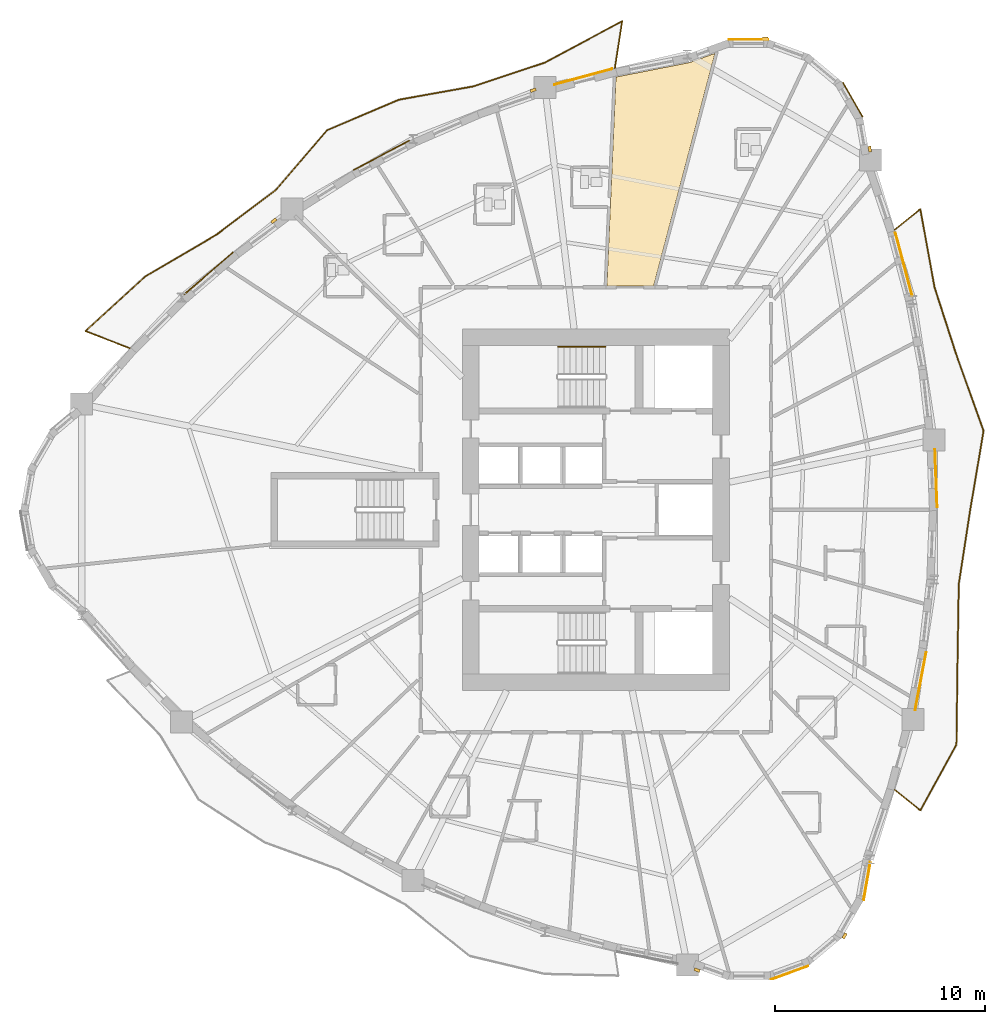
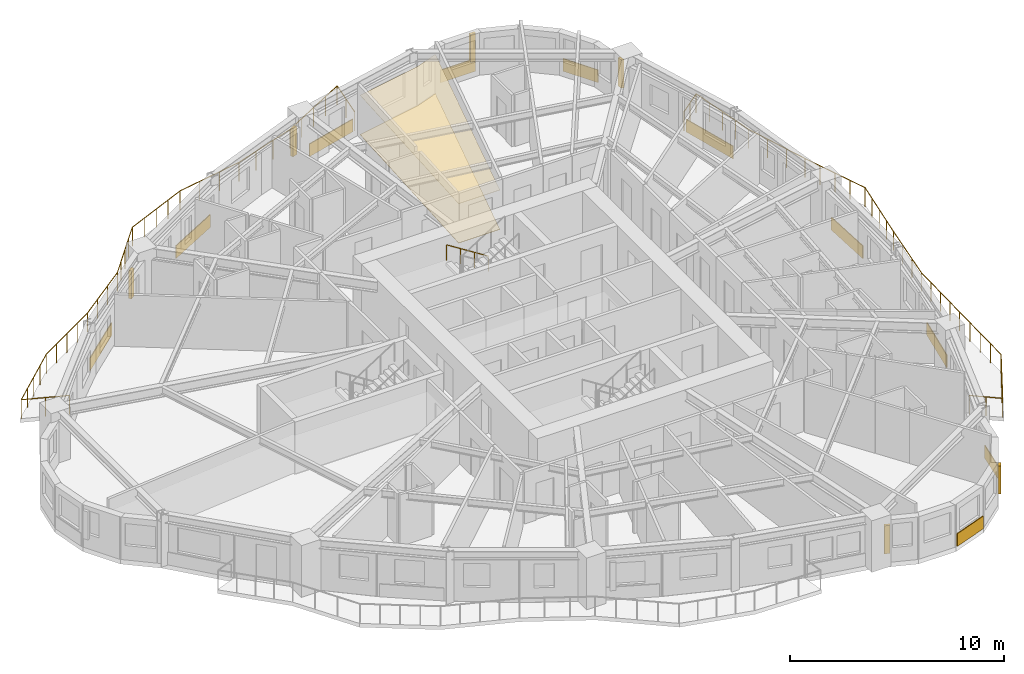
# One storey, part 13 of 14: 12 coverings, 6 shading devices, 3 railings.
"""IFC4 building model written with IfcOpenShell, lengths in metres."""

from ifc_helpers import new_model, si_unit, direction, frame, origin, origin_2d, place, context, subcontext, project, spatial, polyline, rectangle, circle, outline, extrude, source, transform, mapped, material, layer, layer_set, type_object, element, save


model = new_model("IFC4")

# Units and contexts
model_context = context("Model", 3, precision=1e-05, world=origin(), true_north=direction((0.0, 1.0)))
body_context = subcontext(model_context, "Body", "Model", "MODEL_VIEW")
ifc_project = project(units=[si_unit("LENGTHUNIT", "METRE"), si_unit("AREAUNIT", "SQUARE_METRE"), si_unit("VOLUMEUNIT", "CUBIC_METRE"), si_unit("PLANEANGLEUNIT", "RADIAN"), si_unit("MASSUNIT", "GRAM", prefix="KILO")], contexts=[model_context])

# Site, building, storey
site_placement = place(None, origin())
site = spatial("IfcSite", under=ifc_project, at=site_placement, CompositionType="ELEMENT")
building_placement = place(site_placement, origin())
building = spatial("IfcBuilding", under=site, at=building_placement, Name="Qafzar Sky-Pleat Residences", CompositionType="ELEMENT")
storey_placement = place(building_placement, frame((0.0, 0.0, 14.199951171875)))
storey = spatial("IfcBuildingStorey", under=building, at=storey_placement, Name="L03", CompositionType="ELEMENT", Elevation=14.199951171875)

# Coverings
ifc_material_1 = material(Name="Perforated acoustic gypsum board ceiling")
ifc_layer_1 = layer(ifc_material_1, 0.02001953125)
ifc_layer_set_1 = layer_set([ifc_layer_1], Name="Perforated acoustic gypsum board ceiling")
covering_type_1 = type_object("IfcCoveringType", Name="COV-CEIL-ACOUSTIC", PredefinedType="CEILING", material=ifc_layer_set_1)
covering_1_placement = place(storey_placement, frame((0.0, 0.0, 2.239990234375)))
element("IfcCovering", 1, at=covering_1_placement, inside=storey, type_object=covering_type_1, Name="L03 Communal Kitchen Acoustic Ceiling", PredefinedType="CEILING", context=body_context, shape_type="SweptSolid", body=[
    extrude(outline(polyline([(34.8076171875, 47.26416015625), (36.013427734375, 47.702880859375), (33.094970703125, 36.639892578125), (30.873291015625, 36.639892578125), (31.305419921875, 46.572998046875), (31.342041015625, 46.5830078125), (34.8076171875, 47.26416015625)])), origin(), (0.0, 0.0, 1.0), 0.02001953125),
])
ifc_material_2 = material(Name="Honed porcelain and Riyadh stone tile flooring", Category="masonry")
ifc_layer_2 = layer(ifc_material_2, 0.02001953125)
ifc_layer_set_2 = layer_set([ifc_layer_2], Name="Honed porcelain and Riyadh stone tile flooring")
covering_type_2 = type_object("IfcCoveringType", Name="COV-FLR-PORCELAIN", PredefinedType="FLOORING", material=ifc_layer_set_2)
covering_2_placement = place(storey_placement, origin())
element("IfcCovering", 2, at=covering_2_placement, inside=storey, type_object=covering_type_2, Name="L03 Communal Kitchen Honed Stone Flooring", PredefinedType="FLOORING", context=body_context, shape_type="SweptSolid", body=[
    extrude(outline(polyline([(34.8076171875, 47.26416015625), (36.013427734375, 47.702880859375), (33.094970703125, 36.639892578125), (30.873291015625, 36.639892578125), (31.305419921875, 46.572998046875), (31.342041015625, 46.5830078125), (34.8076171875, 47.26416015625)])), origin(), (0.0, 0.0, 1.0), 0.02001953125),
])

# Railings
ifc_material_3 = material(Name="Laminated glass and bronze steel balustrade", Category="steel")
railing_type_1 = type_object("IfcRailingType", Name="RAIL-BAL-1100", PredefinedType="BALUSTRADE", material=ifc_material_3)
shared_shape_1 = source(origin(), body_context, "Body", "SweptSolid", [
    extrude(circle(Radius=0.02392578125, at=origin_2d()), frame((0.0, 0.0, 1.076171875), z_axis=(0.779190452063, -0.626787236161, 0.0), x_axis=(0.626787236161, 0.779190452063, 0.0)), (0.0, 0.0, 1.0), 1.577880859375),
    extrude(circle(Radius=0.02392578125, at=origin_2d()), frame((1.2294921875, -0.989013671875, 1.076171875), z_axis=(0.481003643786, 0.876718594912, 0.0), x_axis=(-0.876718594912, 0.481003643786, 0.0)), (0.0, 0.0, 1.0), 3.5751953125),
    extrude(circle(Radius=0.02392578125, at=origin_2d()), frame((2.94921875, 2.1455078125, 1.076171875), z_axis=(0.012626033824, 0.999920288458, 0.0), x_axis=(-0.999920288458, 0.012626033824, 0.0)), (0.0, 0.0, 1.0), 3.9638671875),
    extrude(circle(Radius=0.02392578125, at=origin_2d()), frame((2.999267578125, 6.109130859375, 1.076171875), z_axis=(0.015856215298, 0.999874282316, 0.0), x_axis=(-0.999874282316, 0.015856215298, 0.0)), (0.0, 0.0, 1.0), 3.66455078125),
    extrude(circle(Radius=0.02392578125, at=origin_2d()), frame((3.057373046875, 9.773193359375, 1.076171875), z_axis=(0.152416048912, 0.988316421008, 0.0), x_axis=(-0.988316421008, 0.152416048912, 0.0)), (0.0, 0.0, 1.0), 3.578369140625),
    extrude(circle(Radius=0.02392578125, at=origin_2d()), frame((3.602783203125, 13.309814453125, 1.076171875), z_axis=(0.167094480842, 0.98594088792, 0.0), x_axis=(-0.98594088792, 0.167094480842, 0.0)), (0.0, 0.0, 1.0), 3.80322265625),
    extrude(circle(Radius=0.02392578125, at=origin_2d()), frame((4.23828125, 17.0595703125, 1.076171875), z_axis=(-0.33791768738, 0.941175667214, 0.0), x_axis=(-0.941175667214, -0.33791768738, 0.0)), (0.0, 0.0, 1.0), 3.66650390625),
    extrude(circle(Radius=0.02392578125, at=origin_2d()), frame((2.999267578125, 20.510498046875, 1.076171875), z_axis=(-0.308292175959, 0.951291718792, 0.0), x_axis=(-0.951291718792, -0.308292175959, 0.0)), (0.0, 0.0, 1.0), 3.539794921875),
    extrude(circle(Radius=0.02392578125, at=origin_2d()), frame((1.907958984375, 23.8779296875, 1.076171875), z_axis=(-0.178925099034, 0.983862698213, 0.0), x_axis=(-0.983862698213, -0.178925099034, 0.0)), (0.0, 0.0, 1.0), 3.7919921875),
    extrude(circle(Radius=0.02392578125, at=origin_2d()), frame((1.2294921875, 27.608642578125, 1.076171875), z_axis=(-0.779190452063, -0.626787236161, 0.0), x_axis=(0.626787236161, -0.779190452063, 0.0)), (0.0, 0.0, 1.0), 1.577880859375),
    extrude(circle(Radius=0.02099609375, at=origin_2d()), origin(), (0.0, 0.0, 1.0), 1.052001953125),
    extrude(circle(Radius=0.02099609375, at=origin_2d()), frame((0.61474609375, -0.49462890625, 0.0)), (0.0, 0.0, 1.0), 1.052001953125),
    extrude(circle(Radius=0.02099609375, at=origin_2d()), frame((1.2294921875, -0.989013671875, 0.0)), (0.0, 0.0, 1.0), 1.052001953125),
    extrude(circle(Radius=0.02099609375, at=origin_2d()), frame((1.802734375, 0.055908203125, 0.0)), (0.0, 0.0, 1.0), 1.052001953125),
    extrude(circle(Radius=0.02099609375, at=origin_2d()), frame((2.3759765625, 1.1005859375, 0.0)), (0.0, 0.0, 1.0), 1.052001953125),
    extrude(circle(Radius=0.02099609375, at=origin_2d()), frame((2.94921875, 2.1455078125, 0.0)), (0.0, 0.0, 1.0), 1.052001953125),
    extrude(circle(Radius=0.02099609375, at=origin_2d()), frame((2.961669921875, 3.136474609375, 0.0)), (0.0, 0.0, 1.0), 1.052001953125),
    extrude(circle(Radius=0.02099609375, at=origin_2d()), frame((2.97412109375, 4.12744140625, 0.0)), (0.0, 0.0, 1.0), 1.052001953125),
    extrude(circle(Radius=0.02099609375, at=origin_2d()), frame((2.98681640625, 5.1181640625, 0.0)), (0.0, 0.0, 1.0), 1.052001953125),
    extrude(circle(Radius=0.02099609375, at=origin_2d()), frame((2.999267578125, 6.109130859375, 0.0)), (0.0, 0.0, 1.0), 1.052001953125),
    extrude(circle(Radius=0.02099609375, at=origin_2d()), frame((3.013671875, 7.025146484375, 0.0)), (0.0, 0.0, 1.0), 1.052001953125),
    extrude(circle(Radius=0.02099609375, at=origin_2d()), frame((3.0283203125, 7.941162109375, 0.0)), (0.0, 0.0, 1.0), 1.052001953125),
    extrude(circle(Radius=0.02099609375, at=origin_2d()), frame((3.04296875, 8.857177734375, 0.0)), (0.0, 0.0, 1.0), 1.052001953125),
    extrude(circle(Radius=0.02099609375, at=origin_2d()), frame((3.057373046875, 9.773193359375, 0.0)), (0.0, 0.0, 1.0), 1.052001953125),
    extrude(circle(Radius=0.02099609375, at=origin_2d()), frame((3.2392578125, 10.9521484375, 0.0)), (0.0, 0.0, 1.0), 1.052001953125),
    extrude(circle(Radius=0.02099609375, at=origin_2d()), frame((3.4208984375, 12.130859375, 0.0)), (0.0, 0.0, 1.0), 1.052001953125),
    extrude(circle(Radius=0.02099609375, at=origin_2d()), frame((3.602783203125, 13.309814453125, 0.0)), (0.0, 0.0, 1.0), 1.052001953125),
    extrude(circle(Radius=0.02099609375, at=origin_2d()), frame((3.76171875, 14.247314453125, 0.0)), (0.0, 0.0, 1.0), 1.052001953125),
    extrude(circle(Radius=0.02099609375, at=origin_2d()), frame((3.92041015625, 15.1845703125, 0.0)), (0.0, 0.0, 1.0), 1.052001953125),
    extrude(circle(Radius=0.02099609375, at=origin_2d()), frame((4.079345703125, 16.1220703125, 0.0)), (0.0, 0.0, 1.0), 1.052001953125),
    extrude(circle(Radius=0.02099609375, at=origin_2d()), frame((4.23828125, 17.0595703125, 0.0)), (0.0, 0.0, 1.0), 1.052001953125),
    extrude(circle(Radius=0.02099609375, at=origin_2d()), frame((3.928466796875, 17.92236328125, 0.0)), (0.0, 0.0, 1.0), 1.052001953125),
    extrude(circle(Radius=0.02099609375, at=origin_2d()), frame((3.61865234375, 18.78515625, 0.0)), (0.0, 0.0, 1.0), 1.052001953125),
    extrude(circle(Radius=0.02099609375, at=origin_2d()), frame((3.30908203125, 19.647705078125, 0.0)), (0.0, 0.0, 1.0), 1.052001953125),
    extrude(circle(Radius=0.02099609375, at=origin_2d()), frame((2.999267578125, 20.510498046875, 0.0)), (0.0, 0.0, 1.0), 1.052001953125),
    extrude(circle(Radius=0.02099609375, at=origin_2d()), frame((2.635498046875, 21.633056640625, 0.0)), (0.0, 0.0, 1.0), 1.052001953125),
    extrude(circle(Radius=0.02099609375, at=origin_2d()), frame((2.271728515625, 22.75537109375, 0.0)), (0.0, 0.0, 1.0), 1.052001953125),
    extrude(circle(Radius=0.02099609375, at=origin_2d()), frame((1.907958984375, 23.8779296875, 0.0)), (0.0, 0.0, 1.0), 1.052001953125),
    extrude(circle(Radius=0.02099609375, at=origin_2d()), frame((1.73828125, 24.810546875, 0.0)), (0.0, 0.0, 1.0), 1.052001953125),
    extrude(circle(Radius=0.02099609375, at=origin_2d()), frame((1.56884765625, 25.7431640625, 0.0)), (0.0, 0.0, 1.0), 1.052001953125),
    extrude(circle(Radius=0.02099609375, at=origin_2d()), frame((1.399169921875, 26.676025390625, 0.0)), (0.0, 0.0, 1.0), 1.052001953125),
    extrude(circle(Radius=0.02099609375, at=origin_2d()), frame((1.2294921875, 27.608642578125, 0.0)), (0.0, 0.0, 1.0), 1.052001953125),
    extrude(circle(Radius=0.02099609375, at=origin_2d()), frame((0.61474609375, 27.1142578125, 0.0)), (0.0, 0.0, 1.0), 1.052001953125),
    extrude(circle(Radius=0.02099609375, at=origin_2d()), frame((0.0, 26.61962890625, 0.0)), (0.0, 0.0, 1.0), 1.052001953125),
])
railing_1_placement = place(storey_placement, frame((44.546630859375, 12.690185546875, 0.0)))
element("IfcRailing", 3, at=railing_1_placement, inside=storey, type_object=railing_type_1, Name="L03 Pleated Balcony 1 Balustrade", PredefinedType="BALUSTRADE", context=body_context, shape_type="MappedRepresentation", body=[
    mapped(shared_shape_1, transform((0.0, 0.0, 0.0), x_axis=(1.0, 0.0, 0.0), y_axis=(0.0, 1.0, 0.0), z_axis=(0.0, 0.0, 1.0), scale=1.0)),
])
shared_shape_2 = source(origin(), body_context, "Body", "SweptSolid", [
    extrude(circle(Radius=0.02392578125, at=origin_2d()), frame((0.0, 0.0, 1.076171875), z_axis=(0.153196150484, 0.988195800172, 0.0), x_axis=(-0.988195800172, 0.153196150484, 0.0)), (0.0, 0.0, 1.0), 2.27099609375),
    extrude(circle(Radius=0.02392578125, at=origin_2d()), frame((0.347900390625, 2.244140625, 1.076171875), z_axis=(-0.882156638749, -0.470956117606, 0.0), x_axis=(0.470956117606, -0.882156638749, 0.0)), (0.0, 0.0, 1.0), 4.16748046875),
    extrude(circle(Radius=0.02392578125, at=origin_2d()), frame((-3.328369140625, 0.281494140625, 1.076171875), z_axis=(-0.948553569245, -0.316616686662, 0.0), x_axis=(0.316616686662, -0.948553569245, 0.0)), (0.0, 0.0, 1.0), 3.577880859375),
    extrude(circle(Radius=0.02392578125, at=origin_2d()), frame((-6.72216796875, -0.851318359375, 1.076171875), z_axis=(-0.984317474908, -0.176406090007, 0.0), x_axis=(0.176406090007, -0.984317474908, 0.0)), (0.0, 0.0, 1.0), 3.596923828125),
    extrude(circle(Radius=0.02392578125, at=origin_2d()), frame((-10.2626953125, -1.48583984375, 1.076171875), z_axis=(-0.920414482736, -0.39094396014, 0.0), x_axis=(0.39094396014, -0.920414482736, 0.0)), (0.0, 0.0, 1.0), 3.706298828125),
    extrude(circle(Radius=0.02392578125, at=origin_2d()), frame((-13.674072265625, -2.934814453125, 1.076171875), z_axis=(-0.652222762025, -0.758027353528, 0.0), x_axis=(0.758027353528, -0.652222762025, 0.0)), (0.0, 0.0, 1.0), 3.747314453125),
    extrude(circle(Radius=0.02392578125, at=origin_2d()), frame((-16.1181640625, -5.775390625, 1.076171875), z_axis=(-0.798496449642, -0.601999518197, 0.0), x_axis=(0.601999518197, -0.798496449642, 0.0)), (0.0, 0.0, 1.0), 3.55224609375),
    extrude(circle(Radius=0.02392578125, at=origin_2d()), frame((-18.95458984375, -7.913818359375, 1.076171875), z_axis=(-0.863249831137, -0.504776910171, 0.0), x_axis=(0.504776910171, -0.863249831137, 0.0)), (0.0, 0.0, 1.0), 3.903076171875),
    extrude(circle(Radius=0.02392578125, at=origin_2d()), frame((-22.323974609375, -9.884033203125, 1.076171875), z_axis=(-0.737734335543, -0.675091142114, 0.0), x_axis=(0.675091142114, -0.737734335543, 0.0)), (0.0, 0.0, 1.0), 3.8583984375),
    extrude(circle(Radius=0.02392578125, at=origin_2d()), frame((-25.17041015625, -12.48876953125, 1.076171875), z_axis=(0.932397541729, -0.361434398166, 0.0), x_axis=(0.361434398166, 0.932397541729, 0.0)), (0.0, 0.0, 1.0), 2.27099609375),
    extrude(circle(Radius=0.02099609375, at=origin_2d()), origin(), (0.0, 0.0, 1.0), 1.052001953125),
    extrude(circle(Radius=0.02099609375, at=origin_2d()), frame((0.173828125, 1.1220703125, 0.0)), (0.0, 0.0, 1.0), 1.052001953125),
    extrude(circle(Radius=0.02099609375, at=origin_2d()), frame((0.347900390625, 2.244140625, 0.0)), (0.0, 0.0, 1.0), 1.052001953125),
    extrude(circle(Radius=0.02099609375, at=origin_2d()), frame((-0.5712890625, 1.75341796875, 0.0)), (0.0, 0.0, 1.0), 1.052001953125),
    extrude(circle(Radius=0.02099609375, at=origin_2d()), frame((-1.490234375, 1.2626953125, 0.0)), (0.0, 0.0, 1.0), 1.052001953125),
    extrude(circle(Radius=0.02099609375, at=origin_2d()), frame((-2.4091796875, 0.772216796875, 0.0)), (0.0, 0.0, 1.0), 1.052001953125),
    extrude(circle(Radius=0.02099609375, at=origin_2d()), frame((-3.328369140625, 0.281494140625, 0.0)), (0.0, 0.0, 1.0), 1.052001953125),
    extrude(circle(Radius=0.02099609375, at=origin_2d()), frame((-4.459716796875, -0.09619140625, 0.0)), (0.0, 0.0, 1.0), 1.052001953125),
    extrude(circle(Radius=0.02099609375, at=origin_2d()), frame((-5.5908203125, -0.4736328125, 0.0)), (0.0, 0.0, 1.0), 1.052001953125),
    extrude(circle(Radius=0.02099609375, at=origin_2d()), frame((-6.72216796875, -0.851318359375, 0.0)), (0.0, 0.0, 1.0), 1.052001953125),
    extrude(circle(Radius=0.02099609375, at=origin_2d()), frame((-7.90234375, -1.062744140625, 0.0)), (0.0, 0.0, 1.0), 1.052001953125),
    extrude(circle(Radius=0.02099609375, at=origin_2d()), frame((-9.08251953125, -1.2744140625, 0.0)), (0.0, 0.0, 1.0), 1.052001953125),
    extrude(circle(Radius=0.02099609375, at=origin_2d()), frame((-10.2626953125, -1.48583984375, 0.0)), (0.0, 0.0, 1.0), 1.052001953125),
    extrude(circle(Radius=0.02099609375, at=origin_2d()), frame((-11.115478515625, -1.84814453125, 0.0)), (0.0, 0.0, 1.0), 1.052001953125),
    extrude(circle(Radius=0.02099609375, at=origin_2d()), frame((-11.96826171875, -2.21044921875, 0.0)), (0.0, 0.0, 1.0), 1.052001953125),
    extrude(circle(Radius=0.02099609375, at=origin_2d()), frame((-12.8212890625, -2.572509765625, 0.0)), (0.0, 0.0, 1.0), 1.052001953125),
    extrude(circle(Radius=0.02099609375, at=origin_2d()), frame((-13.674072265625, -2.934814453125, 0.0)), (0.0, 0.0, 1.0), 1.052001953125),
    extrude(circle(Radius=0.02099609375, at=origin_2d()), frame((-14.28515625, -3.64501953125, 0.0)), (0.0, 0.0, 1.0), 1.052001953125),
    extrude(circle(Radius=0.02099609375, at=origin_2d()), frame((-14.89599609375, -4.35498046875, 0.0)), (0.0, 0.0, 1.0), 1.052001953125),
    extrude(circle(Radius=0.02099609375, at=origin_2d()), frame((-15.507080078125, -5.065185546875, 0.0)), (0.0, 0.0, 1.0), 1.052001953125),
    extrude(circle(Radius=0.02099609375, at=origin_2d()), frame((-16.1181640625, -5.775390625, 0.0)), (0.0, 0.0, 1.0), 1.052001953125),
    extrude(circle(Radius=0.02099609375, at=origin_2d()), frame((-17.063720703125, -6.48828125, 0.0)), (0.0, 0.0, 1.0), 1.052001953125),
    extrude(circle(Radius=0.02099609375, at=origin_2d()), frame((-18.009033203125, -7.200927734375, 0.0)), (0.0, 0.0, 1.0), 1.052001953125),
    extrude(circle(Radius=0.02099609375, at=origin_2d()), frame((-18.95458984375, -7.913818359375, 0.0)), (0.0, 0.0, 1.0), 1.052001953125),
    extrude(circle(Radius=0.02099609375, at=origin_2d()), frame((-19.796875, -8.40625, 0.0)), (0.0, 0.0, 1.0), 1.052001953125),
    extrude(circle(Radius=0.02099609375, at=origin_2d()), frame((-20.63916015625, -8.89892578125, 0.0)), (0.0, 0.0, 1.0), 1.052001953125),
    extrude(circle(Radius=0.02099609375, at=origin_2d()), frame((-21.481689453125, -9.3916015625, 0.0)), (0.0, 0.0, 1.0), 1.052001953125),
    extrude(circle(Radius=0.02099609375, at=origin_2d()), frame((-22.323974609375, -9.884033203125, 0.0)), (0.0, 0.0, 1.0), 1.052001953125),
    extrude(circle(Radius=0.02099609375, at=origin_2d()), frame((-23.03564453125, -10.53515625, 0.0)), (0.0, 0.0, 1.0), 1.052001953125),
    extrude(circle(Radius=0.02099609375, at=origin_2d()), frame((-23.7470703125, -11.1865234375, 0.0)), (0.0, 0.0, 1.0), 1.052001953125),
    extrude(circle(Radius=0.02099609375, at=origin_2d()), frame((-24.458740234375, -11.837646484375, 0.0)), (0.0, 0.0, 1.0), 1.052001953125),
    extrude(circle(Radius=0.02099609375, at=origin_2d()), frame((-25.17041015625, -12.48876953125, 0.0)), (0.0, 0.0, 1.0), 1.052001953125),
    extrude(circle(Radius=0.02099609375, at=origin_2d()), frame((-24.11181640625, -12.899169921875, 0.0)), (0.0, 0.0, 1.0), 1.052001953125),
    extrude(circle(Radius=0.02099609375, at=origin_2d()), frame((-23.052978515625, -13.3095703125, 0.0)), (0.0, 0.0, 1.0), 1.052001953125),
])
railing_2_placement = place(storey_placement, frame((31.253173828125, 46.984619140625, 0.0)))
element("IfcRailing", 4, at=railing_2_placement, inside=storey, type_object=railing_type_1, Name="L03 Pleated Balcony 2 Balustrade", PredefinedType="BALUSTRADE", context=body_context, shape_type="MappedRepresentation", body=[
    mapped(shared_shape_2, transform((0.0, 0.0, 0.0), x_axis=(1.0, 0.0, 0.0), y_axis=(0.0, 1.0, 0.0), z_axis=(0.0, 0.0, 1.0), scale=1.0)),
])

# Shading devices
ifc_material_4 = material(Name="Honed Riyadh limestone solar fin", Category="masonry")
ifc_layer_3 = layer(ifc_material_4, 0.139892578125)
ifc_layer_set_3 = layer_set([ifc_layer_3], Name="Honed Riyadh limestone solar fin")
shading_device_type = type_object("IfcShadingDeviceType", Name="SHD-FIN-STONE", PredefinedType="SHUTTER", material=ifc_layer_set_3)
shared_shape_3 = source(origin(), body_context, "Body", "SweptSolid", [
    extrude(rectangle(XDim=0.139892578125, YDim=0.280029296875, at=origin_2d()), origin(), (0.0, 0.0, 1.0), 1.60009765625),
])
for number, where, z_axis, x_axis, name in (
    (5, (35.162841796875, 4.11181640625, 0.60009765625), (0.0, 0.0, 1.0), (-0.342053959704, -0.939680311942, 0.0), "L03 Limestone Solar Fin 17"),
    (6, (42.17431640625, 5.7412109375, 0.60009765625), (0.0, 0.0, 1.0), (0.86604422228, -0.499967403994, 0.0), "L03 Limestone Solar Fin 21"),
    (7, (43.37451171875, 43.1474609375, 0.60009765625), (0.0, 0.0, 1.0), (0.984806040716, 0.173657888303, 0.0), "L03 Limestone Solar Fin 33"),
    (8, (38.405029296875, 48.404541015625, 0.60009765625), (0.0, 0.0, 1.0), (0.0, 1.0, 0.0), "L03 Limestone Solar Fin 37"),
    (9, (27.371826171875, 45.950439453125, 0.60009765625), (0.0, 0.0, 1.0), (-0.329543649686, 0.944140340708, 0.0), "L03 Limestone Solar Fin 41"),
    (10, (15.034912109375, 39.738525390625, 0.60009765625), (0.0, 0.0, 1.0), (-0.594868101573, 0.803823327436, 0.0), "L03 Limestone Solar Fin 45"),
):
    element("IfcShadingDevice", number, at=place(storey_placement, frame(where, z_axis=z_axis, x_axis=x_axis)), inside=storey, type_object=shading_device_type, Name=name, PredefinedType="SHUTTER", context=body_context, shape_type="MappedRepresentation", body=[
        mapped(shared_shape_3, transform((0.0, 0.0, 0.0), x_axis=(1.0, 0.0, 0.0), y_axis=(0.0, 1.0, 0.0), z_axis=(0.0, 0.0, 1.0), scale=1.0)),
    ])

# Coverings
ifc_material_5 = material(Name="Honed Riyadh Tuwaiq limestone cladding", Category="masonry")
ifc_layer_4 = layer(ifc_material_5, 0.044921875)
ifc_layer_set_4 = layer_set([ifc_layer_4], Name="Honed Riyadh Tuwaiq limestone cladding")
covering_type_3 = type_object("IfcCoveringType", Name="COV-CLAD-STONE", PredefinedType="CLADDING", material=ifc_layer_set_4)
shared_shape_4 = source(origin(), body_context, "Body", "SweptSolid", [
    extrude(rectangle(XDim=1.88134765625, YDim=0.044921875, at=origin_2d()), origin(), (0.0, 0.0, 1.0), 0.719970703125),
])
for number, where, z_axis, x_axis, name in (
    (11, (39.56103515625, 3.984130859375, 0.02001953125), (0.0, 0.0, 1.0), (0.939678833387, 0.342058021518, 0.0), "L03 Riyadh Limestone Spandrel Cladding 19"),
    (12, (42.565673828125, 45.49462890625, 0.02001953125), (0.0, 0.0, 1.0), (-0.499972303345, 0.866041393865, 0.0), "L03 Riyadh Limestone Spandrel Cladding 34"),
    (13, (37.60009765625, 48.361572265625, 0.02001953125), (0.0, 0.0, 1.0), (-1.0, 0.0, 0.0), "L03 Riyadh Limestone Spandrel Cladding 37"),
):
    element("IfcCovering", number, at=place(storey_placement, frame(where, z_axis=z_axis, x_axis=x_axis)), inside=storey, type_object=covering_type_3, Name=name, PredefinedType="CLADDING", context=body_context, shape_type="MappedRepresentation", body=[
        mapped(shared_shape_4, transform((0.0, 0.0, 0.0), x_axis=(1.0, 0.0, 0.0), y_axis=(0.0, 1.0, 0.0), z_axis=(0.0, 0.0, 1.0), scale=1.0)),
    ])
shared_shape_5 = source(origin(), body_context, "Body", "SweptSolid", [
    extrude(rectangle(XDim=1.8291015625, YDim=0.044921875, at=origin_2d()), origin(), (0.0, 0.0, 1.0), 0.719970703125),
])
covering_3_placement = place(storey_placement, frame((43.24169921875, 8.34814453125, 0.02001953125), z_axis=(0.0, 0.0, 1.0), x_axis=(0.17364778674, 0.984807821943, 0.0)))
element("IfcCovering", 14, at=covering_3_placement, inside=storey, type_object=covering_type_3, Name="L03 Riyadh Limestone Spandrel Cladding 22", PredefinedType="CLADDING", context=body_context, shape_type="MappedRepresentation", body=[
    mapped(shared_shape_5, transform((0.0, 0.0, 0.0), x_axis=(1.0, 0.0, 0.0), y_axis=(0.0, 1.0, 0.0), z_axis=(0.0, 0.0, 1.0), scale=1.0)),
])
shared_shape_6 = source(origin(), body_context, "Body", "SweptSolid", [
    extrude(rectangle(XDim=2.810791015625, YDim=0.044921875, at=origin_2d()), origin(), (0.0, 0.0, 1.0), 0.719970703125),
])
covering_4_placement = place(storey_placement, frame((45.791015625, 17.84814453125, 0.02001953125), z_axis=(0.0, 0.0, 1.0), x_axis=(0.186679497736, 0.982420869651, 0.0)))
element("IfcCovering", 15, at=covering_4_placement, inside=storey, type_object=covering_type_3, Name="L03 Riyadh Limestone Spandrel Cladding 25", PredefinedType="CLADDING", context=body_context, shape_type="MappedRepresentation", body=[
    mapped(shared_shape_6, transform((0.0, 0.0, 0.0), x_axis=(1.0, 0.0, 0.0), y_axis=(0.0, 1.0, 0.0), z_axis=(0.0, 0.0, 1.0), scale=1.0)),
])
shared_shape_7 = source(origin(), body_context, "Body", "SweptSolid", [
    extrude(rectangle(XDim=2.75927734375, YDim=0.044921875, at=origin_2d()), origin(), (0.0, 0.0, 1.0), 0.719970703125),
])
covering_5_placement = place(storey_placement, frame((46.5244140625, 27.49462890625, 0.02001953125), z_axis=(0.0, 0.0, 1.0), x_axis=(-0.037998453983, 0.99927779796, 0.0)))
element("IfcCovering", 16, at=covering_5_placement, inside=storey, type_object=covering_type_3, Name="L03 Riyadh Limestone Spandrel Cladding 28", PredefinedType="CLADDING", context=body_context, shape_type="MappedRepresentation", body=[
    mapped(shared_shape_7, transform((0.0, 0.0, 0.0), x_axis=(1.0, 0.0, 0.0), y_axis=(0.0, 1.0, 0.0), z_axis=(0.0, 0.0, 1.0), scale=1.0)),
])
shared_shape_8 = source(origin(), body_context, "Body", "SweptSolid", [
    extrude(rectangle(XDim=3.11328125, YDim=0.044921875, at=origin_2d()), origin(), (0.0, 0.0, 1.0), 0.719970703125),
])
covering_6_placement = place(storey_placement, frame((44.993408203125, 37.673095703125, 0.02001953125), z_axis=(0.0, 0.0, 1.0), x_axis=(-0.257050850692, 0.966397878805, 0.0)))
element("IfcCovering", 17, at=covering_6_placement, inside=storey, type_object=covering_type_3, Name="L03 Riyadh Limestone Spandrel Cladding 31", PredefinedType="CLADDING", context=body_context, shape_type="MappedRepresentation", body=[
    mapped(shared_shape_8, transform((0.0, 0.0, 0.0), x_axis=(1.0, 0.0, 0.0), y_axis=(0.0, 1.0, 0.0), z_axis=(0.0, 0.0, 1.0), scale=1.0)),
])
shared_shape_9 = source(origin(), body_context, "Body", "SweptSolid", [
    extrude(rectangle(XDim=2.861328125, YDim=0.044921875, at=origin_2d()), origin(), (0.0, 0.0, 1.0), 0.719970703125),
])
covering_7_placement = place(storey_placement, frame((29.74755859375, 46.589599609375, 0.02001953125), z_axis=(0.0, 0.0, 1.0), x_axis=(-0.965455832178, -0.26056675942, 0.0)))
element("IfcCovering", 18, at=covering_7_placement, inside=storey, type_object=covering_type_3, Name="L03 Riyadh Limestone Spandrel Cladding 40", PredefinedType="CLADDING", context=body_context, shape_type="MappedRepresentation", body=[
    mapped(shared_shape_9, transform((0.0, 0.0, 0.0), x_axis=(1.0, 0.0, 0.0), y_axis=(0.0, 1.0, 0.0), z_axis=(0.0, 0.0, 1.0), scale=1.0)),
])
shared_shape_10 = source(origin(), body_context, "Body", "SweptSolid", [
    extrude(rectangle(XDim=3.01123046875, YDim=0.044921875, at=origin_2d()), origin(), (0.0, 0.0, 1.0), 0.719970703125),
])
covering_8_placement = place(storey_placement, frame((20.156005859375, 42.85546875, 0.02001953125), z_axis=(0.0, 0.0, 1.0), x_axis=(-0.884390578699, -0.466747580935, 0.0)))
element("IfcCovering", 19, at=covering_8_placement, inside=storey, type_object=covering_type_3, Name="L03 Riyadh Limestone Spandrel Cladding 43", PredefinedType="CLADDING", context=body_context, shape_type="MappedRepresentation", body=[
    mapped(shared_shape_10, transform((0.0, 0.0, 0.0), x_axis=(1.0, 0.0, 0.0), y_axis=(0.0, 1.0, 0.0), z_axis=(0.0, 0.0, 1.0), scale=1.0)),
])
shared_shape_11 = source(origin(), body_context, "Body", "SweptSolid", [
    extrude(rectangle(XDim=3.062744140625, YDim=0.044921875, at=origin_2d()), origin(), (0.0, 0.0, 1.0), 0.719970703125),
])
covering_9_placement = place(storey_placement, frame((11.938720703125, 37.239990234375, 0.02001953125), z_axis=(0.0, 0.0, 1.0), x_axis=(-0.757461573707, -0.65287974724, 0.0)))
element("IfcCovering", 20, at=covering_9_placement, inside=storey, type_object=covering_type_3, Name="L03 Riyadh Limestone Spandrel Cladding 46", PredefinedType="CLADDING", context=body_context, shape_type="MappedRepresentation", body=[
    mapped(shared_shape_11, transform((0.0, 0.0, 0.0), x_axis=(1.0, 0.0, 0.0), y_axis=(0.0, 1.0, 0.0), z_axis=(0.0, 0.0, 1.0), scale=1.0)),
])

# Railing
ifc_material_6 = material(Name="Brushed stainless steel handrail", Category="steel")
railing_type_2 = type_object("IfcRailingType", Name="RAIL-STAIR-HAND", PredefinedType="HANDRAIL", material=ifc_material_6)
shared_shape_12 = source(origin(), body_context, "Body", "SweptSolid", [
    extrude(circle(Radius=0.02392578125, at=origin_2d()), frame((0.0, 0.0, 0.8759765625), z_axis=(-0.84418770128, 0.0, 0.536047689118), x_axis=(0.0, -1.0, 0.0)), (0.0, 0.0, 1.0), 2.6533203125),
    extrude(circle(Radius=0.02099609375, at=origin_2d()), origin(), (0.0, 0.0, 1.0), 0.851806640625),
    extrude(circle(Radius=0.02099609375, at=origin_2d()), frame((-0.74658203125, 0.0, 0.47412109375)), (0.0, 0.0, 1.0), 0.851806640625),
    extrude(circle(Radius=0.02099609375, at=origin_2d()), frame((-1.493408203125, 0.0, 0.9482421875)), (0.0, 0.0, 1.0), 0.851806640625),
    extrude(circle(Radius=0.02099609375, at=origin_2d()), frame((-2.239990234375, 0.0, 1.42236328125)), (0.0, 0.0, 1.0), 0.851806640625),
])
railing_3_placement = place(storey_placement, frame((30.800048828125, 33.75, 0.177734375)))
element("IfcRailing", 21, at=railing_3_placement, inside=storey, type_object=railing_type_2, Name="L03 ST2 stair handrail 1", PredefinedType="HANDRAIL", context=body_context, shape_type="MappedRepresentation", body=[
    mapped(shared_shape_12, transform((0.0, 0.0, 0.0), x_axis=(1.0, 0.0, 0.0), y_axis=(0.0, 1.0, 0.0), z_axis=(0.0, 0.0, 1.0), scale=1.0)),
])

save(model, "model.ifc")
